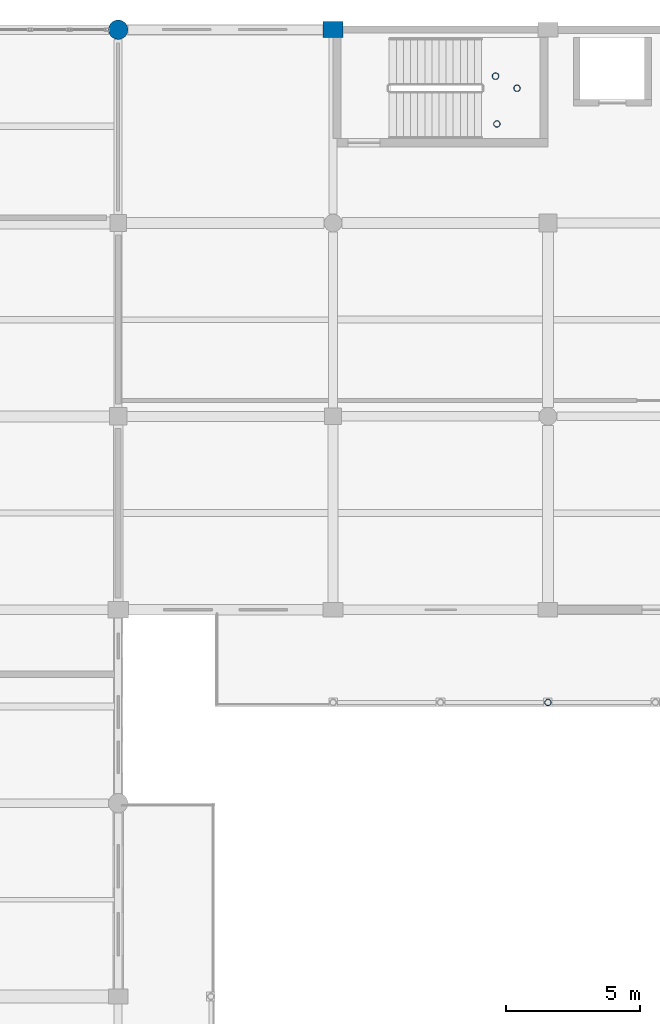
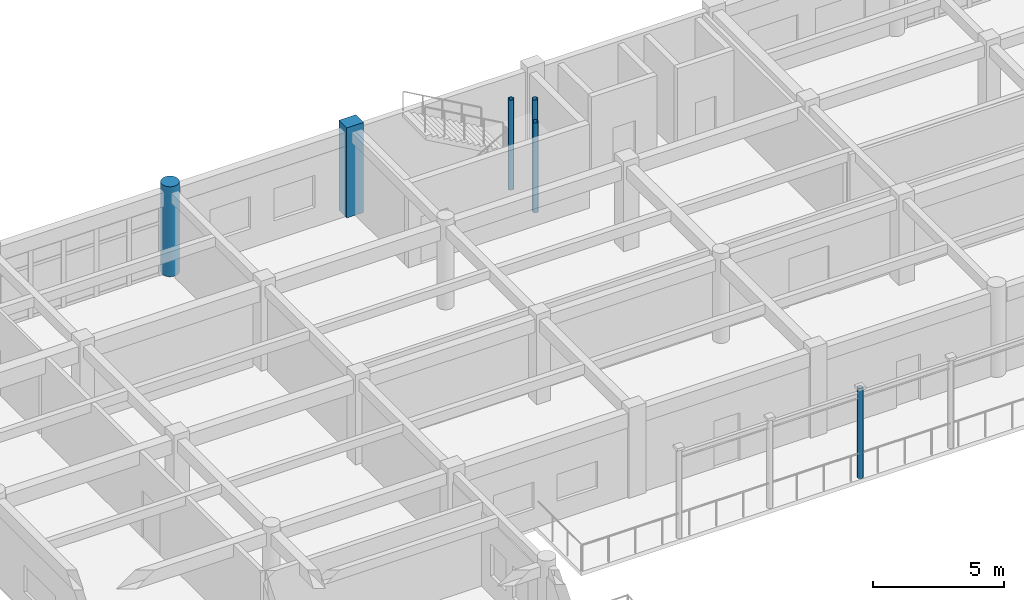
# One storey, part 16 of 195: 6 columns.
"""IFC4 building model written with IfcOpenShell, lengths in metres."""

from ifc_helpers import new_model, si_unit, direction, frame, origin, origin_2d, place, context, subcontext, project, spatial, rectangle, circle, hollow_circle, extrude, material, material_profile, profile_set, type_object, element, save


model = new_model("IFC4")

# Units and contexts
model_context = context("Model", 3, precision=1e-05, world=origin(), true_north=direction((0.0, 1.0)))
body_context = subcontext(model_context, "Body", "Model", "MODEL_VIEW")
ifc_project = project(units=[si_unit("LENGTHUNIT", "METRE"), si_unit("AREAUNIT", "SQUARE_METRE"), si_unit("VOLUMEUNIT", "CUBIC_METRE"), si_unit("PLANEANGLEUNIT", "RADIAN"), si_unit("MASSUNIT", "GRAM", prefix="KILO")], contexts=[model_context])

# Site, building, storey
site_placement = place(None, origin())
site = spatial("IfcSite", under=ifc_project, at=site_placement, CompositionType="ELEMENT")
building_placement = place(site_placement, origin())
building = spatial("IfcBuilding", under=site, at=building_placement, Name="Kharva Crest Polytechnic", CompositionType="ELEMENT")
storey_placement = place(building_placement, frame((0.0, 0.0, 9.0)))
storey = spatial("IfcBuildingStorey", under=building, at=storey_placement, Name="L02", CompositionType="ELEMENT", Elevation=9.0)

# Columns
ifc_material_1 = material(Name="Concrete C40/50", Category="concrete")
ifc_material_profile_1 = material_profile(ifc_material_1, rectangle(XDim=0.75, YDim=0.60009765625, at=origin_2d()), Name="RECT 750 X 600")
ifc_profile_set_1 = profile_set([ifc_material_profile_1], Name="Concrete C40/50")
column_type_1 = type_object("IfcColumnType", Name="COL-EXT-750X600", PredefinedType="COLUMN", material=ifc_profile_set_1)
column_1_placement = place(storey_placement, frame((56.0, 122.0, 0.0), z_axis=(0.0, 0.0, 1.0), x_axis=(1.0, 0.0, 0.0)))
element("IfcColumn", 1, at=column_1_placement, inside=storey, type_object=column_type_1, Name="L02 Column 8/S", PredefinedType="COLUMN", context=body_context, shape_type="SweptSolid", body=[
    extrude(rectangle(XDim=0.75, YDim=0.60009765625, at=origin_2d()), origin(), (0.0, 0.0, 1.0), 4.199951171875),
])
ifc_material_profile_2 = material_profile(ifc_material_1, circle(Radius=0.360107421875, at=origin_2d()), Name="DIA 720")
ifc_profile_set_2 = profile_set([ifc_material_profile_2], Name="Concrete C40/50")
column_type_2 = type_object("IfcColumnType", Name="COL-EXT-DIA720", PredefinedType="COLUMN", material=ifc_profile_set_2)
column_2_placement = place(storey_placement, frame((48.0, 122.0, 0.0), z_axis=(0.0, 0.0, 1.0), x_axis=(1.0, 0.0, 0.0)))
element("IfcColumn", 2, at=column_2_placement, inside=storey, type_object=column_type_2, Name="L02 Column 7/S", PredefinedType="COLUMN", context=body_context, shape_type="SweptSolid", body=[
    extrude(circle(Radius=0.360107421875, at=origin_2d()), origin(), (0.0, 0.0, 1.0), 4.199951171875),
])
ifc_material_2 = material(Name="Steel S355", Category="steel")
ifc_material_profile_3 = material_profile(ifc_material_2, hollow_circle(Radius=0.122314453125, WallThickness=0.010009765625, at=origin_2d()), Name="CHS 244.5X10.0")
ifc_profile_set_3 = profile_set([ifc_material_profile_3], Name="Steel S355")
column_type_3 = type_object("IfcColumnType", Name="COL-STL-CHS244", PredefinedType="COLUMN", material=ifc_profile_set_3)
for number, where, z_axis, x_axis, name in (
    (3, (64.0, 96.949951171875, 0.0), (0.0, 0.0, 1.0), (1.0, 0.0, 0.0), "L02 Colonnade Column VN02"),
    (4, (62.10009765625, 118.489990234375, 0.0), (0.0, 0.0, 1.0), (1.0, 0.0, 0.0), "L02 Stair ST-03 Landing Support Column SW"),
    (5, (62.050048828125, 120.27001953125, 0.0), (0.0, 0.0, 1.0), (1.0, 0.0, 0.0), "L02 Stair ST-03 Landing Support Column NW"),
    (6, (62.85009765625, 119.820068359375, 0.0), (0.0, 0.0, 1.0), (1.0, 0.0, 0.0), "L02 Stair ST-03 Landing Support Column EM"),
):
    element("IfcColumn", number, at=place(storey_placement, frame(where, z_axis=z_axis, x_axis=x_axis)), inside=storey, type_object=column_type_3, Name=name, PredefinedType="COLUMN", context=body_context, shape_type="SweptSolid", body=[
        extrude(hollow_circle(Radius=0.122314453125, WallThickness=0.010009765625, at=origin_2d()), origin(), (0.0, 0.0, 1.0), 4.199951171875),
    ])

save(model, "model.ifc")
